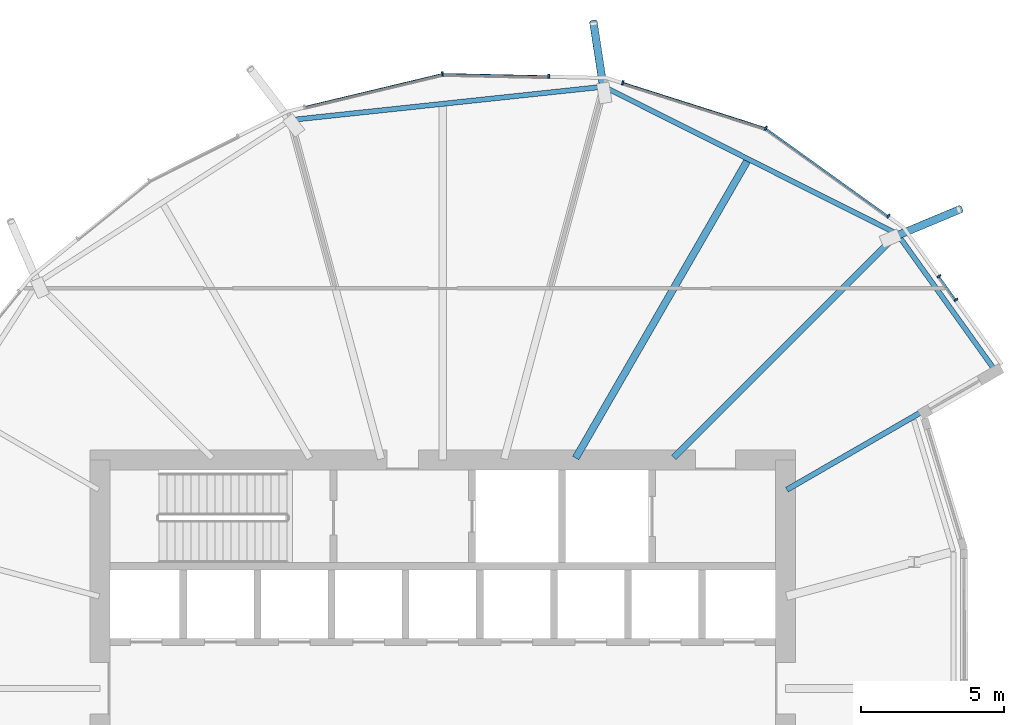
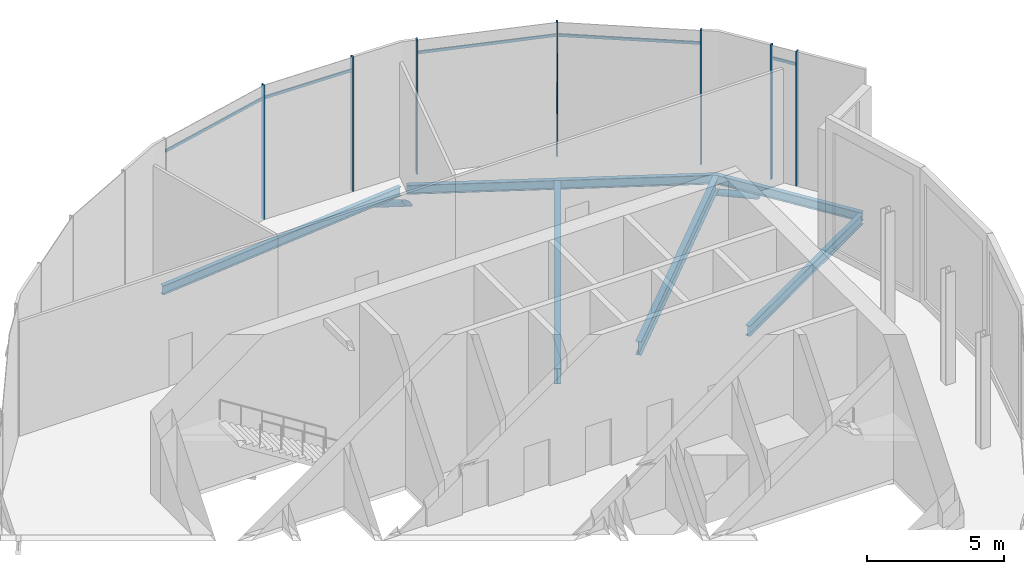
# One storey, part 15 of 38: 14 members, 6 beams, 1 element without a shape of its own.
"""IFC4 building model written with IfcOpenShell, lengths in metres."""

from ifc_helpers import new_model, si_unit, direction, frame, origin, origin_2d, place, context, subcontext, project, spatial, rectangle, hollow_circle, i_section, extrude, clip, halfspace, material, material_profile, profile_set, type_object, element, aggregate, save


model = new_model("IFC4")

# Units and contexts
model_context = context("Model", 3, precision=1e-05, world=origin(), true_north=direction((0.0, 1.0)))
body_context = subcontext(model_context, "Body", "Model", "MODEL_VIEW")
ifc_project = project(units=[si_unit("LENGTHUNIT", "METRE"), si_unit("AREAUNIT", "SQUARE_METRE"), si_unit("VOLUMEUNIT", "CUBIC_METRE"), si_unit("PLANEANGLEUNIT", "RADIAN"), si_unit("MASSUNIT", "GRAM", prefix="KILO")], contexts=[model_context])

# Site, building, storey
site_placement = place(None, origin())
site = spatial("IfcSite", under=ifc_project, at=site_placement, CompositionType="ELEMENT")
building_placement = place(site_placement, origin())
building = spatial("IfcBuilding", under=site, at=building_placement, Name="Rimbun Link Towers", CompositionType="ELEMENT")
storey_placement = place(building_placement, frame((0.0, 0.0, 133.199951171875)))
storey = spatial("IfcBuildingStorey", under=building, at=storey_placement, Name="L32", CompositionType="ELEMENT", Elevation=133.199951171875)

# Curtain wall, members
ifc_material_1 = material(Name="Aluminium 6063-T6 and low-iron glass", Category="aluminium")
curtain_wall_type = type_object("IfcCurtainWallType", Name="CW5 full height lobby wall", PredefinedType="NOTDEFINED", material=ifc_material_1)
curtain_wall_placement = place(storey_placement, origin())
curtain_wall = element("IfcCurtainWall", 1, at=curtain_wall_placement, inside=storey, type_object=curtain_wall_type, Name="CW5 L32 T2", PredefinedType="NOTDEFINED")
ifc_material_2 = material(Name="Aluminium 6063-T6", Category="aluminium")
ifc_material_profile_1 = material_profile(ifc_material_2, rectangle(XDim=0.14990234375, YDim=0.06005859375, at=origin_2d()), Name="MULLION 60X150")
ifc_profile_set_1 = profile_set([ifc_material_profile_1], Name="Aluminium 6063-T6")
member_type_1 = type_object("IfcMemberType", Name="CW5 mullion 60X150", PredefinedType="MULLION", material=ifc_profile_set_1)
member_1_placement = place(storey_placement, frame((43.064697265625, 19.6064453125, 0.0), z_axis=(0.0, 0.0, 1.0), x_axis=(0.448570078695, 0.893747662654, 0.0)))
member_1 = element("IfcMember", 2, at=member_1_placement, type_object=member_type_1, Name="CW5 mullion", PredefinedType="MULLION", context=body_context, shape_type="SweptSolid", body=[
    extrude(rectangle(XDim=0.14990234375, YDim=0.06005859375, at=origin_2d()), origin(), (0.0, 0.0, 1.0), 6.0),
])
member_2_placement = place(storey_placement, frame((47.354736328125, 16.529052734375, 0.0), z_axis=(0.0, 0.0, 1.0), x_axis=(0.58300948996, 0.81246534364, 0.0)))
member_2 = element("IfcMember", 3, at=member_2_placement, type_object=member_type_1, Name="CW5 mullion", PredefinedType="MULLION", context=body_context, shape_type="SweptSolid", body=[
    extrude(rectangle(XDim=0.14990234375, YDim=0.06005859375, at=origin_2d()), origin(), (0.0, 0.0, 1.0), 6.0),
])
member_3_placement = place(storey_placement, frame((38.0546875, 21.200439453125, 0.0), z_axis=(0.0, 0.0, 1.0), x_axis=(0.303059612182, 0.952971600555, 0.0)))
member_3 = element("IfcMember", 4, at=member_3_placement, type_object=member_type_1, Name="CW5 mullion", PredefinedType="MULLION", context=body_context, shape_type="SweptSolid", body=[
    extrude(rectangle(XDim=0.14990234375, YDim=0.06005859375, at=origin_2d()), origin(), (0.0, 0.0, 1.0), 6.0),
])
member_4_placement = place(storey_placement, frame((31.741943359375, 21.505859375, 0.0), z_axis=(0.0, 0.0, 1.0), x_axis=(-0.106633389337, 0.994298406052, 0.0)))
member_4 = element("IfcMember", 5, at=member_4_placement, type_object=member_type_1, Name="CW5 mullion", PredefinedType="MULLION", context=body_context, shape_type="SweptSolid", body=[
    extrude(rectangle(XDim=0.14990234375, YDim=0.06005859375, at=origin_2d()), origin(), (0.0, 0.0, 1.0), 6.0),
])
member_5_placement = place(storey_placement, frame((35.462158203125, 21.427978515625, 0.0), z_axis=(0.0, 0.0, 1.0), x_axis=(0.021062889527, 0.999778152734, 0.0)))
member_5 = element("IfcMember", 6, at=member_5_placement, type_object=member_type_1, Name="CW5 mullion", PredefinedType="MULLION", context=body_context, shape_type="SweptSolid", body=[
    extrude(rectangle(XDim=0.14990234375, YDim=0.06005859375, at=origin_2d()), origin(), (0.0, 0.0, 1.0), 6.0),
])
member_6_placement = place(storey_placement, frame((49.124267578125, 14.4267578125, 0.0), z_axis=(0.0, 0.0, 1.0), x_axis=(0.81246534364, 0.58300948996, 0.0)))
member_6 = element("IfcMember", 7, at=member_6_placement, type_object=member_type_1, Name="CW5 mullion", PredefinedType="MULLION", context=body_context, shape_type="SweptSolid", body=[
    extrude(rectangle(XDim=0.14990234375, YDim=0.06005859375, at=origin_2d()), origin(), (0.0, 0.0, 1.0), 6.0),
])
member_7_placement = place(storey_placement, frame((49.7177734375, 13.599609375, 0.0), z_axis=(0.0, 0.0, 1.0), x_axis=(0.81246534364, 0.58300948996, 0.0)))
member_7 = element("IfcMember", 8, at=member_7_placement, type_object=member_type_1, Name="CW5 mullion", PredefinedType="MULLION", context=body_context, shape_type="SweptSolid", body=[
    extrude(rectangle(XDim=0.14990234375, YDim=0.06005859375, at=origin_2d()), origin(), (0.0, 0.0, 1.0), 6.0),
])
ifc_material_3 = material(Name="Aluminium 6063-T6", Category="aluminium")
ifc_material_profile_2 = material_profile(ifc_material_3, rectangle(XDim=0.06005859375, YDim=0.1201171875, at=origin_2d()), Name="TRANSOM 60X120")
ifc_profile_set_2 = profile_set([ifc_material_profile_2], Name="Aluminium 6063-T6")
member_type_2 = type_object("IfcMemberType", Name="CW5 transom 60X120", PredefinedType="USERDEFINED", material=ifc_profile_set_2)
member_8_placement = place(storey_placement, frame((43.091552734375, 19.572265625, 5.400146484375), z_axis=(0.812451841863, -0.58302830519, 0.0), x_axis=(0.58302830519, 0.812451841863, 0.0)))
member_8 = element("IfcMember", 9, at=member_8_placement, type_object=member_type_2, Name="CW5 transom", ObjectType="TRANSOM", PredefinedType="USERDEFINED", context=body_context, shape_type="SweptSolid", body=[
    extrude(rectangle(XDim=0.06005859375, YDim=0.1201171875, at=origin_2d()), origin(), (0.0, 0.0, 1.0), 5.2080078125),
])
member_9_placement = place(storey_placement, frame((38.079345703125, 21.178955078125, 5.400146484375), z_axis=(0.952975231307, -0.303048195036, 0.0), x_axis=(0.303048195036, 0.952975231307, 0.0)))
member_9 = element("IfcMember", 10, at=member_9_placement, type_object=member_type_2, Name="CW5 transom", ObjectType="TRANSOM", PredefinedType="USERDEFINED", context=body_context, shape_type="SweptSolid", body=[
    extrude(rectangle(XDim=0.06005859375, YDim=0.1201171875, at=origin_2d()), origin(), (0.0, 0.0, 1.0), 5.185791015625),
])
member_10_placement = place(storey_placement, frame((31.78125, 21.49267578125, 5.400146484375), z_axis=(0.999776775393, -0.021128165654, 0.0), x_axis=(0.021128165654, 0.999776775393, 0.0)))
member_10 = element("IfcMember", 11, at=member_10_placement, type_object=member_type_2, Name="CW5 transom", ObjectType="TRANSOM", PredefinedType="USERDEFINED", context=body_context, shape_type="SweptSolid", body=[
    extrude(rectangle(XDim=0.06005859375, YDim=0.1201171875, at=origin_2d()), origin(), (0.0, 0.0, 1.0), 3.6513671875),
])
member_11_placement = place(storey_placement, frame((26.95166015625, 20.347412109375, 5.400146484375), z_axis=(0.972568331287, 0.232617370328, 0.0), x_axis=(-0.232617370328, 0.972568331287, 0.0)))
member_11 = element("IfcMember", 12, at=member_11_placement, type_object=member_type_2, Name="CW5 transom", ObjectType="TRANSOM", PredefinedType="USERDEFINED", context=body_context, shape_type="SweptSolid", body=[
    extrude(rectangle(XDim=0.06005859375, YDim=0.1201171875, at=origin_2d()), origin(), (0.0, 0.0, 1.0), 4.888671875),
])
member_12_placement = place(storey_placement, frame((49.13134765625, 14.394775390625, 5.400146484375), z_axis=(0.582900559185, -0.812543499206, 0.0), x_axis=(0.812543499206, 0.582900559185, 0.0)))
member_12 = element("IfcMember", 13, at=member_12_placement, type_object=member_type_2, Name="CW5 transom", ObjectType="TRANSOM", PredefinedType="USERDEFINED", context=body_context, shape_type="SweptSolid", body=[
    extrude(rectangle(XDim=0.06005859375, YDim=0.1201171875, at=origin_2d()), origin(), (0.0, 0.0, 1.0), 0.957763671875),
])
aggregate(curtain_wall, [member_1, member_2, member_3, member_4, member_5, member_6, member_7, member_8, member_9, member_10, member_11, member_12])

# Members
ifc_material_4 = material(Name="Steel S355J2H", Category="steel")
ifc_material_profile_3 = material_profile(ifc_material_4, hollow_circle(Radius=0.136474609375, WallThickness=0.012451171875, at=origin_2d()), Name="CHS 273x12.5")
ifc_profile_set_3 = profile_set([ifc_material_profile_3], Name="Steel S355J2H")
member_type_3 = type_object("IfcMemberType", Name="Floor edge link CHS 273x12.5", PredefinedType="BRACE", material=ifc_profile_set_3)
member_13_placement = place(storey_placement, frame((47.56005859375, 15.81005859375, -0.898193359375), z_axis=(0.783127464213, 0.326806547203, -0.529064131746), x_axis=(-0.385120834067, 0.922866156692, 0.0)))
element("IfcMember", 14, at=member_13_placement, inside=storey, type_object=member_type_3, Name="Floor edge link T2 L32 00", PredefinedType="BRACE", context=body_context, shape_type="Clipping", body=[
    clip(extrude(hollow_circle(Radius=0.136474609375, WallThickness=0.012451171875, at=origin_2d()), frame((0.0, 0.0, -0.456787109375)), (0.0, 0.0, 1.0), 3.40673828125), halfspace(frame((0.0, 0.0, -0.21484375), z_axis=(0.0, 0.848581843136, -0.529064131746)), False)),
])
member_14_placement = place(storey_placement, frame((37.380615234375, 21.013916015625, -0.981689453125), z_axis=(-0.132261568586, 0.85847639103, -0.495504958117), x_axis=(-0.988339098526, -0.15226892764, 0.0)))
element("IfcMember", 15, at=member_14_placement, inside=storey, type_object=member_type_3, Name="Floor edge link T2 L32 02", PredefinedType="BRACE", context=body_context, shape_type="Clipping", body=[
    clip(extrude(hollow_circle(Radius=0.136474609375, WallThickness=0.012451171875, at=origin_2d()), frame((0.0, 0.0, -0.498779296875)), (0.0, 0.0, 1.0), 3.19189453125), halfspace(frame((0.0, 0.0, -0.234619140625), z_axis=(0.0, 0.868605109633, -0.495504958117)), False)),
])

# Beams
ifc_material_5 = material(Name="Steel S355J2", Category="steel")
ifc_material_profile_4 = material_profile(ifc_material_5, i_section(OverallWidth=0.177978515625, OverallDepth=0.406494140625, WebThickness=0.0078125, FlangeThickness=0.0126953125, at=origin_2d()), Name="UB 406x178x60")
ifc_profile_set_4 = profile_set([ifc_material_profile_4], Name="Steel S355J2")
beam_type_1 = type_object("IfcBeamType", Name="UB 406x178x60", PredefinedType="BEAM", material=ifc_profile_set_4)
beam_1_placement = place(storey_placement, frame((47.6591796875, 15.910400390625, -0.383056640625), z_axis=(-0.893764003773, 0.448537518564, 0.0), x_axis=(-0.448537518564, -0.893764003773, 0.0)))
element("IfcBeam", 16, at=beam_1_placement, inside=storey, type_object=beam_type_1, Name="Edge beam T2 L32 00-02", PredefinedType="BEAM", context=body_context, shape_type="SweptSolid", body=[
    extrude(i_section(OverallWidth=0.177978515625, OverallDepth=0.406494140625, WebThickness=0.0078125, FlangeThickness=0.0126953125, at=origin_2d()), origin(), (0.0, 0.0, 1.0), 11.355224609375),
])
beam_2_placement = place(storey_placement, frame((37.25732421875, 21.0478515625, -0.383056640625), z_axis=(-0.994380538527, -0.105864746721, 0.0), x_axis=(0.105864746721, -0.994380538527, 0.0)))
element("IfcBeam", 17, at=beam_2_placement, inside=storey, type_object=beam_type_1, Name="Edge beam T2 L32 02-04", PredefinedType="BEAM", context=body_context, shape_type="SweptSolid", body=[
    extrude(i_section(OverallWidth=0.177978515625, OverallDepth=0.406494140625, WebThickness=0.0078125, FlangeThickness=0.0126953125, at=origin_2d()), origin(), (0.0, 0.0, 1.0), 10.769775390625),
])
beam_3_placement = place(storey_placement, frame((51.067138671875, 11.15380859375, -0.383056640625), z_axis=(-0.582374631753, 0.81292053012, 0.0), x_axis=(-0.81292053012, -0.582374631753, 0.0)))
element("IfcBeam", 18, at=beam_3_placement, inside=storey, type_object=beam_type_1, Name="Edge beam T2 L32 23", PredefinedType="BEAM", context=body_context, shape_type="SweptSolid", body=[
    extrude(i_section(OverallWidth=0.177978515625, OverallDepth=0.406494140625, WebThickness=0.0078125, FlangeThickness=0.0126953125, at=origin_2d()), origin(), (0.0, 0.0, 1.0), 5.849853515625),
])
ifc_material_6 = material(Name="Steel S355J2", Category="steel")
ifc_material_profile_5 = material_profile(ifc_material_6, i_section(OverallWidth=0.18994140625, OverallDepth=0.453369140625, WebThickness=0.008544921875, FlangeThickness=0.0126953125, at=origin_2d()), Name="UB 457x191x67")
ifc_profile_set_5 = profile_set([ifc_material_profile_5], Name="Steel S355J2")
beam_type_2 = type_object("IfcBeamType", Name="UB 457x191x67", PredefinedType="BEAM", material=ifc_profile_set_5)
beam_4_placement = place(storey_placement, frame((43.79833984375, 6.9560546875, -0.40673828125), z_axis=(0.866023521831, 0.500003259625, 0.0), x_axis=(-0.500003259625, 0.866023521831, 0.0)))
element("IfcBeam", 19, at=beam_4_placement, inside=storey, type_object=beam_type_2, Name="Radial beam T2 L32 23", PredefinedType="BEAM", context=body_context, shape_type="SweptSolid", body=[
    extrude(i_section(OverallWidth=0.18994140625, OverallDepth=0.453369140625, WebThickness=0.008544921875, FlangeThickness=0.0126953125, at=origin_2d()), origin(), (0.0, 0.0, 1.0), 8.3037109375),
])
ifc_material_7 = material(Name="Steel S355J2", Category="steel")
ifc_material_profile_6 = material_profile(ifc_material_7, i_section(OverallWidth=0.2275390625, OverallDepth=0.6025390625, WebThickness=0.010498046875, FlangeThickness=0.014892578125, at=origin_2d()), Name="UB 610x229x101")
ifc_profile_set_6 = profile_set([ifc_material_profile_6], Name="Steel S355J2")
beam_type_3 = type_object("IfcBeamType", Name="UB 610x229x101", PredefinedType="BEAM", material=ifc_profile_set_6)
beam_5_placement = place(storey_placement, frame((39.831298828125, 8.081298828125, -0.481201171875), z_axis=(0.707106781187, 0.707106781187, 0.0), x_axis=(-0.707106781187, 0.707106781187, 0.0)))
element("IfcBeam", 20, at=beam_5_placement, inside=storey, type_object=beam_type_3, Name="Radial beam T2 L32 00", PredefinedType="BEAM", context=body_context, shape_type="SweptSolid", body=[
    extrude(i_section(OverallWidth=0.2275390625, OverallDepth=0.6025390625, WebThickness=0.010498046875, FlangeThickness=0.014892578125, at=origin_2d()), origin(), (0.0, 0.0, 1.0), 10.980224609375),
])
ifc_material_8 = material(Name="Steel S355J2", Category="steel")
ifc_material_profile_7 = material_profile(ifc_material_8, i_section(OverallWidth=0.253662109375, OverallDepth=0.68359375, WebThickness=0.012451171875, FlangeThickness=0.01904296875, at=origin_2d()), Name="UB 686x254x140")
ifc_profile_set_7 = profile_set([ifc_material_profile_7], Name="Steel S355J2")
beam_type_4 = type_object("IfcBeamType", Name="UB 686x254x140", PredefinedType="BEAM", material=ifc_profile_set_7)
beam_6_placement = place(storey_placement, frame((36.406005859375, 8.064208984375, -0.521728515625), z_axis=(0.499984479505, 0.866034364361, 0.0), x_axis=(-0.866034364361, 0.499984479505, 0.0)))
element("IfcBeam", 21, at=beam_6_placement, inside=storey, type_object=beam_type_4, Name="Radial beam T2 L32 01", PredefinedType="BEAM", context=body_context, shape_type="SweptSolid", body=[
    extrude(i_section(OverallWidth=0.253662109375, OverallDepth=0.68359375, WebThickness=0.012451171875, FlangeThickness=0.01904296875, at=origin_2d()), origin(), (0.0, 0.0, 1.0), 11.99072265625),
])

save(model, "model.ifc")
